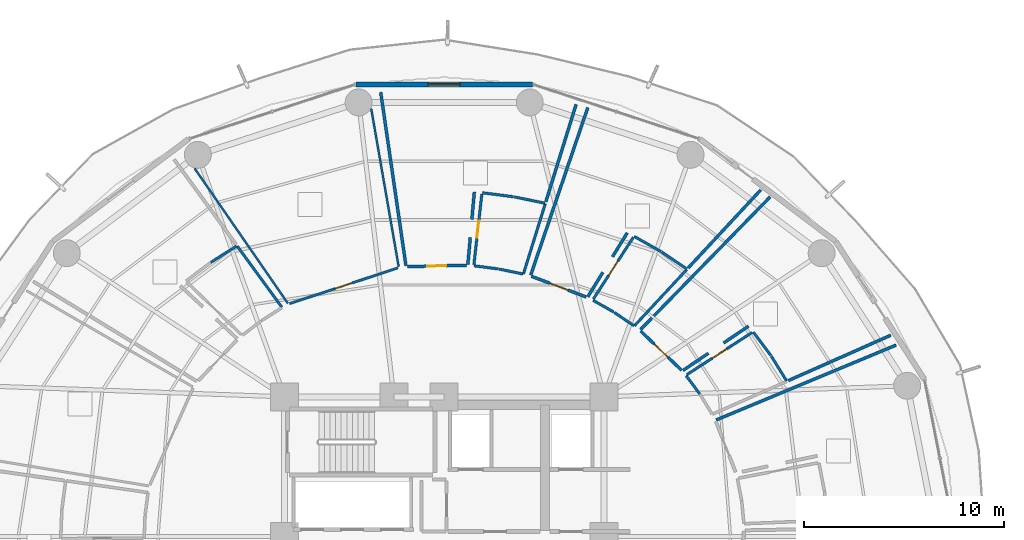
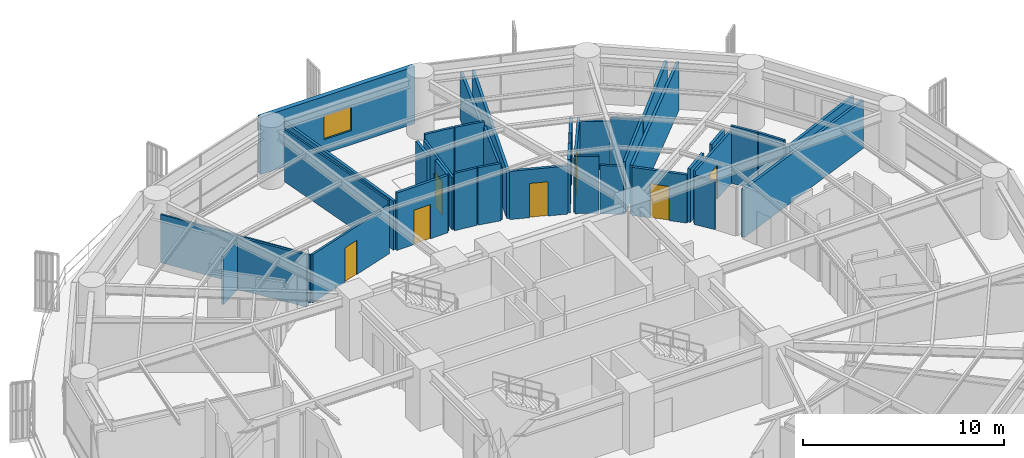
# One storey, part 30 of 35: 38 walls, 7 doors, 1 window, 8 openings.
"""IFC4 building model written with IfcOpenShell, lengths in metres."""

from ifc_helpers import new_model, si_unit, direction, frame, frame_2d, origin, place, context, subcontext, project, spatial, rectangle, extrude, material, layer, layer_set, type_object, element, fill, save


model = new_model("IFC4")

# Units and contexts
model_context = context("Model", 3, precision=1e-05, world=origin(), true_north=direction((0.0, 1.0)))
body_context = subcontext(model_context, "Body", "Model", "MODEL_VIEW")
ifc_project = project(units=[si_unit("LENGTHUNIT", "METRE"), si_unit("AREAUNIT", "SQUARE_METRE"), si_unit("VOLUMEUNIT", "CUBIC_METRE"), si_unit("PLANEANGLEUNIT", "RADIAN"), si_unit("MASSUNIT", "GRAM", prefix="KILO")], contexts=[model_context])

# Site, building, storey
site_placement = place(None, origin())
site = spatial("IfcSite", under=ifc_project, at=site_placement, CompositionType="ELEMENT")
building_placement = place(site_placement, origin())
building = spatial("IfcBuilding", under=site, at=building_placement, Name="Kelanora Arch Commons", CompositionType="ELEMENT")
storey_placement = place(building_placement, frame((0.0, 0.0, 95.10009765625)))
storey = spatial("IfcBuildingStorey", under=building, at=storey_placement, Name="L24", CompositionType="ELEMENT", Elevation=95.10009765625)

# Wall, opening, door
ifc_material_1 = material(Name="Autoclaved aerated concrete blockwork with fire plaster", Category="masonry")
ifc_layer_1 = layer(ifc_material_1, 0.14990234375)
ifc_layer_set_1 = layer_set([ifc_layer_1], Name="Autoclaved aerated concrete blockwork with fire plaster")
wall_type_1 = type_object("IfcWallType", Name="W-COMP-150", PredefinedType="PARTITIONING", material=ifc_layer_set_1)
wall_1_placement = place(storey_placement, frame((85.881591796875, 66.33740234375, 0.0), z_axis=(0.0, 0.0, 1.0), x_axis=(-0.721698326825, 0.692207718144, 0.0)))
wall_1 = element("IfcWall", 1, at=wall_1_placement, inside=storey, type_object=wall_type_1, Name="Co-Living Studio L24-01 Entry Partition", PredefinedType="PARTITIONING", context=body_context, shape_type="SweptSolid", body=[
    extrude(rectangle(XDim=2.822998046875, YDim=0.14990234375, at=frame_2d((1.41162109375, 0.0))), origin(), (0.0, 0.0, 1.0), 2.9248046875),
])
opening_1_placement = place(wall_1_placement, frame((0.93603515625, 0.0, 0.0)))
opening_1 = element("IfcOpeningElement", 2, at=opening_1_placement, cuts=wall_1, Name="Opening D-CLU1", PredefinedType="OPENING", context=body_context, shape_type="SweptSolid", body=[
    extrude(rectangle(XDim=0.949951171875, YDim=2.080078125, at=frame_2d((0.47509765625, 1.0400390625))), frame((0.0, 0.0849609375, 0.0), z_axis=(0.0, -1.0, 0.0), x_axis=(1.0, 0.0, 0.0)), (0.0, 0.0, 1.0), 0.169921875),
])
ifc_material_2 = material(Name="Solid-core acoustic timber cluster entry fire door", Category="wood")
door_type_1 = type_object("IfcDoorType", Name="D-CLU-95", OperationType="NOTDEFINED", PredefinedType="DOOR", material=ifc_material_2)
door_1_placement = place(opening_1_placement, origin())
door_1 = element("IfcDoor", 3, at=door_1_placement, inside=storey, type_object=door_type_1, Name="Co-Living Studio L24-01 Door", OperationType="SINGLE_SWING_RIGHT", OverallHeight=2.080078125, OverallWidth=0.949951171875, PredefinedType="DOOR", context=body_context, shape_type="SweptSolid", body=[
    extrude(rectangle(XDim=0.949951171875, YDim=2.080078125, at=frame_2d((0.47509765625, 1.0400390625))), frame((0.0, 0.02490234375, 0.0), z_axis=(0.0, -1.0, 0.0), x_axis=(1.0, 0.0, 0.0)), (0.0, 0.0, 1.0), 0.050048828125),
])
fill(opening_1, door_1)

wall_2_placement = place(storey_placement, frame((81.116943359375, 69.999267578125, 0.0), z_axis=(0.0, 0.0, 1.0), x_axis=(-0.935632349103, 0.352976071868, 0.0)))
wall_2 = element("IfcWall", 4, at=wall_2_placement, inside=storey, type_object=wall_type_1, Name="Co-Living Studio L24-02 Entry Partition", PredefinedType="PARTITIONING", context=body_context, shape_type="SweptSolid", body=[
    extrude(rectangle(XDim=2.9306640625, YDim=0.14990234375, at=frame_2d((1.46533203125, 0.0))), origin(), (0.0, 0.0, 1.0), 2.9248046875),
])
opening_2_placement = place(wall_2_placement, frame((0.989990234375, 0.0, 0.0)))
opening_2 = element("IfcOpeningElement", 5, at=opening_2_placement, cuts=wall_2, Name="Opening D-CLU1", PredefinedType="OPENING", context=body_context, shape_type="SweptSolid", body=[
    extrude(rectangle(XDim=0.949951171875, YDim=2.080078125, at=frame_2d((0.47509765625, 1.0400390625))), frame((0.0, 0.0849609375, 0.0), z_axis=(0.0, -1.0, 0.0), x_axis=(1.0, 0.0, 0.0)), (0.0, 0.0, 1.0), 0.169921875),
])
door_2_placement = place(opening_2_placement, origin())
door_2 = element("IfcDoor", 6, at=door_2_placement, inside=storey, type_object=door_type_1, Name="Co-Living Studio L24-02 Door", OperationType="SINGLE_SWING_RIGHT", OverallHeight=2.080078125, OverallWidth=0.949951171875, PredefinedType="DOOR", context=body_context, shape_type="SweptSolid", body=[
    extrude(rectangle(XDim=0.949951171875, YDim=2.080078125, at=frame_2d((0.47509765625, 1.0400390625))), frame((0.0, 0.02490234375, 0.0), z_axis=(0.0, -1.0, 0.0), x_axis=(1.0, 0.0, 0.0)), (0.0, 0.0, 1.0), 0.050048828125),
])
fill(opening_2, door_2)

wall_3_placement = place(storey_placement, frame((75.12109375, 71.586669921875, 0.0), z_axis=(0.0, 0.0, 1.0), x_axis=(-0.999757617916, -0.022016026426, 0.0)))
wall_3 = element("IfcWall", 7, at=wall_3_placement, inside=storey, type_object=wall_type_1, Name="Co-Living Studio L24-03 Entry Partition", PredefinedType="PARTITIONING", context=body_context, shape_type="SweptSolid", body=[
    extrude(rectangle(XDim=2.971923828125, YDim=0.14990234375, at=frame_2d((1.48583984375, 0.0))), origin(), (0.0, 0.0, 1.0), 3.47998046875),
])
opening_3_placement = place(wall_3_placement, frame((1.010986328125, 0.0, 0.0)))
opening_3 = element("IfcOpeningElement", 8, at=opening_3_placement, cuts=wall_3, Name="Opening D-CLU1", PredefinedType="OPENING", context=body_context, shape_type="SweptSolid", body=[
    extrude(rectangle(XDim=0.949951171875, YDim=2.080078125, at=frame_2d((0.47509765625, 1.0400390625))), frame((0.0, 0.0849609375, 0.0), z_axis=(0.0, -1.0, 0.0), x_axis=(1.0, 0.0, 0.0)), (0.0, 0.0, 1.0), 0.169921875),
])
door_3_placement = place(opening_3_placement, origin())
door_3 = element("IfcDoor", 9, at=door_3_placement, inside=storey, type_object=door_type_1, Name="Co-Living Studio L24-03 Door", OperationType="SINGLE_SWING_RIGHT", OverallHeight=2.080078125, OverallWidth=0.949951171875, PredefinedType="DOOR", context=body_context, shape_type="SweptSolid", body=[
    extrude(rectangle(XDim=0.949951171875, YDim=2.080078125, at=frame_2d((0.47509765625, 1.0400390625))), frame((0.0, 0.02490234375, 0.0), z_axis=(0.0, -1.0, 0.0), x_axis=(1.0, 0.0, 0.0)), (0.0, 0.0, 1.0), 0.050048828125),
])
fill(opening_3, door_3)

# Walls
wall_4_placement = place(storey_placement, frame((83.828857421875, 68.361572265625, 0.0), z_axis=(0.0, 0.0, 1.0), x_axis=(0.698749209364, 0.715366718833, 0.0)))
element("IfcWall", 10, at=wall_4_placement, inside=storey, type_object=wall_type_1, Name="Co-Living Studio L24-01 Enclosure Partition 2", PredefinedType="PARTITIONING", context=body_context, shape_type="SweptSolid", body=[
    extrude(rectangle(XDim=9.2998046875, YDim=0.14990234375, at=frame_2d((4.64990234375, 0.0))), origin(), (0.0, 0.0, 1.0), 2.974853515625),
])
wall_5_placement = place(storey_placement, frame((96.369384765625, 68.084716796875, 0.0), z_axis=(0.0, 0.0, 1.0), x_axis=(-0.914319955381, -0.404992616219, 0.0)))
element("IfcWall", 11, at=wall_5_placement, inside=storey, type_object=wall_type_1, Name="Co-Living Studio L24-01 Enclosure Partition 5", PredefinedType="PARTITIONING", context=body_context, shape_type="SweptSolid", body=[
    extrude(rectangle(XDim=5.615966796875, YDim=0.14990234375, at=frame_2d((2.80810546875, 0.0))), origin(), (0.0, 0.0, 1.0), 2.974853515625),
])
wall_6_placement = place(storey_placement, frame((89.240966796875, 68.53662109375, 0.0), z_axis=(0.0, 0.0, 1.0), x_axis=(-0.828582854192, -0.559866460631, 0.0)))
element("IfcWall", 12, at=wall_6_placement, inside=storey, type_object=wall_type_1, Name="Co-Living Studio L24-01 Enclosure Partition 7", PredefinedType="PARTITIONING", context=body_context, shape_type="SweptSolid", body=[
    extrude(rectangle(XDim=1.501708984375, YDim=0.14990234375, at=frame_2d((0.7509765625, 0.0))), origin(), (0.0, 0.0, 1.0), 3.1748046875),
])
wall_7_placement = place(storey_placement, frame((87.23388671875, 67.1806640625, 0.0), z_axis=(0.0, 0.0, 1.0), x_axis=(-0.828521381114, -0.559957427879, 0.0)))
element("IfcWall", 13, at=wall_7_placement, inside=storey, type_object=wall_type_1, Name="Co-Living Studio L24-01 Enclosure Partition 7", PredefinedType="PARTITIONING", context=body_context, shape_type="SweptSolid", body=[
    extrude(rectangle(XDim=1.5400390625, YDim=0.14990234375, at=frame_2d((0.77001953125, 0.0))), origin(), (0.0, 0.0, 1.0), 3.23486328125),
])
wall_8_placement = place(storey_placement, frame((78.331787109375, 71.093017578125, 0.0), z_axis=(0.0, 0.0, 1.0), x_axis=(0.322500856516, 0.946569172088, 0.0)))
element("IfcWall", 14, at=wall_8_placement, inside=storey, type_object=wall_type_1, Name="Co-Living Studio L24-02 Enclosure Partition 2", PredefinedType="PARTITIONING", context=body_context, shape_type="SweptSolid", body=[
    extrude(rectangle(XDim=8.875244140625, YDim=0.14990234375, at=frame_2d((4.4375, 0.0))), origin(), (0.0, 0.0, 1.0), 2.9248046875),
])
wall_9_placement = place(storey_placement, frame((89.85791015625, 75.36669921875, 0.0), z_axis=(0.0, 0.0, 1.0), x_axis=(-0.680841843483, -0.732430463704, 0.0)))
element("IfcWall", 15, at=wall_9_placement, inside=storey, type_object=wall_type_1, Name="Co-Living Studio L24-02 Enclosure Partition 5", PredefinedType="PARTITIONING", context=body_context, shape_type="SweptSolid", body=[
    extrude(rectangle(XDim=5.343017578125, YDim=0.14990234375, at=frame_2d((2.67138671875, 0.0))), origin(), (0.0, 0.0, 1.0), 2.974853515625),
])
wall_10_placement = place(storey_placement, frame((83.1669921875, 73.2099609375, 0.0), z_axis=(0.0, 0.0, 1.0), x_axis=(-0.525107327047, -0.8510360128, 0.0)))
element("IfcWall", 16, at=wall_10_placement, inside=storey, type_object=wall_type_1, Name="Co-Living Studio L24-02 Enclosure Partition 7", PredefinedType="PARTITIONING", context=body_context, shape_type="SweptSolid", body=[
    extrude(rectangle(XDim=1.40234375, YDim=0.14990234375, at=frame_2d((0.701171875, 0.0))), origin(), (0.0, 0.0, 1.0), 3.1748046875),
])
wall_11_placement = place(storey_placement, frame((81.947509765625, 71.2333984375, 0.0), z_axis=(0.0, 0.0, 1.0), x_axis=(-0.52498935376, -0.851108793539, 0.0)))
element("IfcWall", 17, at=wall_11_placement, inside=storey, type_object=wall_type_1, Name="Co-Living Studio L24-02 Enclosure Partition 7", PredefinedType="PARTITIONING", context=body_context, shape_type="SweptSolid", body=[
    extrude(rectangle(XDim=1.43505859375, YDim=0.14990234375, at=frame_2d((0.717529296875, 0.0))), origin(), (0.0, 0.0, 1.0), 3.23486328125),
])
wall_12_placement = place(storey_placement, frame((72.084228515625, 71.5595703125, 0.0), z_axis=(0.0, 0.0, 1.0), x_axis=(-0.143952208647, 0.989584640961, 0.0)))
element("IfcWall", 18, at=wall_12_placement, inside=storey, type_object=wall_type_1, Name="Co-Living Studio L24-03 Enclosure Partition 2", PredefinedType="PARTITIONING", context=body_context, shape_type="SweptSolid", body=[
    extrude(rectangle(XDim=8.790283203125, YDim=0.14990234375, at=frame_2d((4.39501953125, 0.0))), origin(), (0.0, 0.0, 1.0), 2.974853515625),
])
wall_13_placement = place(storey_placement, frame((80.606201171875, 79.644775390625, 0.0), z_axis=(0.0, 0.0, 1.0), x_axis=(-0.2966895532, -0.954973983427, 0.0)))
element("IfcWall", 19, at=wall_13_placement, inside=storey, type_object=wall_type_1, Name="Co-Living Studio L24-03 Enclosure Partition 5", PredefinedType="PARTITIONING", context=body_context, shape_type="SweptSolid", body=[
    extrude(rectangle(XDim=5.104248046875, YDim=0.14990234375, at=frame_2d((2.55224609375, 0.0))), origin(), (0.0, 0.0, 1.0), 2.9248046875),
])
wall_14_placement = place(storey_placement, frame((75.50830078125, 75.253173828125, 0.0), z_axis=(0.0, 0.0, 1.0), x_axis=(-0.088846600374, -0.996045321058, 0.0)))
element("IfcWall", 20, at=wall_14_placement, inside=storey, type_object=wall_type_1, Name="Co-Living Studio L24-03 Enclosure Partition 7", PredefinedType="PARTITIONING", context=body_context, shape_type="SweptSolid", body=[
    extrude(rectangle(XDim=1.368408203125, YDim=0.14990234375, at=frame_2d((0.68408203125, 0.0))), origin(), (0.0, 0.0, 1.0), 3.1748046875),
])
wall_15_placement = place(storey_placement, frame((75.3046875, 72.973388671875, 0.0), z_axis=(0.0, 0.0, 1.0), x_axis=(-0.088906327267, -0.996039991653, 0.0)))
element("IfcWall", 21, at=wall_15_placement, inside=storey, type_object=wall_type_1, Name="Co-Living Studio L24-03 Enclosure Partition 7", PredefinedType="PARTITIONING", context=body_context, shape_type="SweptSolid", body=[
    extrude(rectangle(XDim=1.35107421875, YDim=0.14990234375, at=frame_2d((0.675537109375, 0.0))), origin(), (0.0, 0.0, 1.0), 3.47998046875),
])
wall_16_placement = place(storey_placement, frame((87.625, 63.84033203125, 0.0), z_axis=(0.0, 0.0, 1.0), x_axis=(0.92321744991, 0.384277946521, 0.0)))
element("IfcWall", 22, at=wall_16_placement, inside=storey, type_object=wall_type_1, Name="Co-Living Studio L24-15 Enclosure Partition 2", PredefinedType="PARTITIONING", context=body_context, shape_type="SweptSolid", body=[
    extrude(rectangle(XDim=9.76171875, YDim=0.14990234375, at=frame_2d((4.880859375, 0.0))), origin(), (0.0, 0.0, 1.0), 2.9248046875),
])

# Wall, opening, window
ifc_material_3 = material(Name="Precast concrete C40/50 with terracotta rainscreen", Category="masonry")
ifc_layer_2 = layer(ifc_material_3, 0.260009765625)
ifc_layer_set_2 = layer_set([ifc_layer_2], Name="Precast concrete C40/50 with terracotta rainscreen")
wall_type_2 = type_object("IfcWallType", Name="W-EXT-TC", PredefinedType="SOLIDWALL", material=ifc_layer_set_2)
wall_17_placement = place(storey_placement, frame((78.430419921875, 80.650634765625, 0.0), z_axis=(0.0, 0.0, 1.0), x_axis=(-1.0, 0.0, 0.0)))
wall_17 = element("IfcWall", 23, at=wall_17_placement, inside=storey, type_object=wall_type_2, Name="Terracotta Exterior Wall L24-B04", PredefinedType="SOLIDWALL", context=body_context, shape_type="SweptSolid", body=[
    extrude(rectangle(XDim=8.86083984375, YDim=0.260009765625, at=frame_2d((4.430419921875, 0.0))), origin(), (0.0, 0.0, 1.0), 3.474853515625),
])
opening_4_placement = place(wall_17_placement, frame((3.6298828125, 0.0, 0.85009765625)))
opening_4 = element("IfcOpeningElement", 24, at=opening_4_placement, cuts=wall_17, Name="Opening WN-01", PredefinedType="OPENING", context=body_context, shape_type="SweptSolid", body=[
    extrude(rectangle(XDim=1.60009765625, YDim=1.449951171875, at=frame_2d((0.800048828125, 0.72509765625))), frame((0.0, 0.14013671875, 0.0), z_axis=(0.0, -1.0, 0.0), x_axis=(1.0, 0.0, 0.0)), (0.0, 0.0, 1.0), 0.280029296875),
])
ifc_material_4 = material(Name="Terracotta-anodised aluminium frame with operable low-E glazing", Category="masonry")
window_type = type_object("IfcWindowType", Name="WIN-CL-18", PartitioningType="DOUBLE_PANEL_VERTICAL", PredefinedType="WINDOW", material=ifc_material_4)
window_placement = place(opening_4_placement, origin())
window = element("IfcWindow", 25, at=window_placement, inside=storey, type_object=window_type, Name="Co-Living Operable Window L24-B04", OverallHeight=1.449951171875, OverallWidth=1.60009765625, PartitioningType="SINGLE_PANEL", PredefinedType="WINDOW", context=body_context, shape_type="SweptSolid", body=[
    extrude(rectangle(XDim=1.60009765625, YDim=1.449951171875, at=frame_2d((0.800048828125, 0.72509765625))), frame((0.0, 0.030029296875, 0.0), z_axis=(0.0, -1.0, 0.0), x_axis=(1.0, 0.0, 0.0)), (0.0, 0.0, 1.0), 0.06005859375),
])
fill(opening_4, window)

# Walls
ifc_material_5 = material(Name="Lightweight fire-rated acoustic stud partition")
ifc_layer_3 = layer(ifc_material_5, 0.10009765625)
ifc_layer_set_3 = layer_set([ifc_layer_3], Name="Lightweight fire-rated acoustic stud partition")
wall_type_3 = type_object("IfcWallType", Name="W-PART-100", PredefinedType="PARTITIONING", material=ifc_layer_set_3)
wall_18_placement = place(storey_placement, frame((66.169189453125, 69.678955078125, 0.0), z_axis=(0.0, 0.0, 1.0), x_axis=(-0.568250117639, 0.822855882766, 0.0)))
element("IfcWall", 26, at=wall_18_placement, inside=storey, type_object=wall_type_3, Name="Communal Dining and Social Hall L24-04 Enclosure Partition 2", PredefinedType="PARTITIONING", context=body_context, shape_type="SweptSolid", body=[
    extrude(rectangle(XDim=8.216796875, YDim=0.10009765625, at=frame_2d((4.1083984375, 0.0))), origin(), (0.0, 0.0, 1.0), 2.9248046875),
])
wall_19_placement = place(storey_placement, frame((70.342529296875, 79.435791015625, 0.0), z_axis=(0.0, 0.0, 1.0), x_axis=(0.171306583965, -0.985217769983, 0.0)))
element("IfcWall", 27, at=wall_19_placement, inside=storey, type_object=wall_type_3, Name="Communal Dining and Social Hall L24-04 Enclosure Partition 4", PredefinedType="PARTITIONING", context=body_context, shape_type="SweptSolid", body=[
    extrude(rectangle(XDim=8.042236328125, YDim=0.10009765625, at=frame_2d((4.02099609375, 0.0))), origin(), (0.0, 0.0, 1.0), 3.1748046875),
])

# Wall, opening, door
ifc_material_6 = material(Name="Acoustic twin-stud fire-rated gypsum partition")
ifc_layer_4 = layer(ifc_material_6, 0.1201171875)
ifc_layer_set_4 = layer_set([ifc_layer_4], Name="Acoustic twin-stud fire-rated gypsum partition")
wall_type_4 = type_object("IfcWallType", Name="W-PART-120", PredefinedType="PARTITIONING", material=ifc_layer_set_4)
wall_20_placement = place(storey_placement, frame((71.669921875, 71.4541015625, 0.0), z_axis=(0.0, 0.0, 1.0), x_axis=(-0.949607265123, -0.313442246716, 0.0)))
wall_20 = element("IfcWall", 28, at=wall_20_placement, inside=storey, type_object=wall_type_4, Name="Communal Dining and Social Hall L24-04 Entry Partition", PredefinedType="PARTITIONING", context=body_context, shape_type="SweptSolid", body=[
    extrude(rectangle(XDim=5.70849609375, YDim=0.1201171875, at=frame_2d((2.854248046875, 0.0))), origin(), (0.0, 0.0, 1.0), 2.9248046875),
])
opening_5_placement = place(wall_20_placement, frame((2.404052734375, 0.0, 0.0)))
opening_5 = element("IfcOpeningElement", 29, at=opening_5_placement, cuts=wall_20, Name="Opening D-RM1", PredefinedType="OPENING", context=body_context, shape_type="SweptSolid", body=[
    extrude(rectangle(XDim=0.89990234375, YDim=2.080078125, at=frame_2d((0.449951171875, 1.0400390625))), frame((0.0, 0.070068359375, 0.0), z_axis=(0.0, -1.0, 0.0), x_axis=(1.0, 0.0, 0.0)), (0.0, 0.0, 1.0), 0.14013671875),
])
ifc_material_7 = material(Name="Acoustic fire-rated timber study and lounge door", Category="wood")
door_type_2 = type_object("IfcDoorType", Name="D-ROOM-90", OperationType="NOTDEFINED", PredefinedType="DOOR", material=ifc_material_7)
door_4_placement = place(opening_5_placement, origin())
door_4 = element("IfcDoor", 30, at=door_4_placement, inside=storey, type_object=door_type_2, Name="Communal Dining and Social Hall L24-04 Door", OperationType="SINGLE_SWING_LEFT", OverallHeight=2.080078125, OverallWidth=0.89990234375, PredefinedType="DOOR", context=body_context, shape_type="SweptSolid", body=[
    extrude(rectangle(XDim=0.89990234375, YDim=2.080078125, at=frame_2d((0.449951171875, 1.0400390625))), frame((0.0, 0.02490234375, 0.0), z_axis=(0.0, -1.0, 0.0), x_axis=(1.0, 0.0, 0.0)), (0.0, 0.0, 1.0), 0.050048828125),
])
fill(opening_5, door_4)

ifc_material_8 = material(Name="Moisture-resistant fire-rated cement-board plumbing wall")
ifc_layer_5 = layer(ifc_material_8, 0.1298828125)
ifc_layer_set_5 = layer_set([ifc_layer_5], Name="Moisture-resistant fire-rated cement-board plumbing wall")
wall_type_5 = type_object("IfcWallType", Name="W-WET-120", PredefinedType="PLUMBINGWALL", material=ifc_layer_set_5)
wall_21_placement = place(storey_placement, frame((86.156494140625, 66.110595703125, 0.0), z_axis=(0.0, 0.0, 1.0), x_axis=(0.839597088747, 0.543209654339, 0.0)))
wall_21 = element("IfcWall", 31, at=wall_21_placement, inside=storey, type_object=wall_type_5, Name="En-Suite Shower WC L24-01 Entry Partition", PredefinedType="PLUMBINGWALL", context=body_context, shape_type="SweptSolid", body=[
    extrude(rectangle(XDim=3.891357421875, YDim=0.1298828125, at=frame_2d((1.94580078125, 0.0))), origin(), (0.0, 0.0, 1.0), 3.1748046875),
])
opening_6_placement = place(wall_21_placement, frame((1.51611328125, 0.0, 0.0)))
opening_6 = element("IfcOpeningElement", 32, at=opening_6_placement, cuts=wall_21, Name="Opening D-BT1", PredefinedType="OPENING", context=body_context, shape_type="SweptSolid", body=[
    extrude(rectangle(XDim=0.860107421875, YDim=2.050048828125, at=frame_2d((0.43017578125, 1.02490234375))), frame((0.0, 0.074951171875, 0.0), z_axis=(0.0, -1.0, 0.0), x_axis=(1.0, 0.0, 0.0)), (0.0, 0.0, 1.0), 0.14990234375),
])
ifc_material_9 = material(Name="Moisture-sealed fire-rated accessible bathroom door")
door_type_3 = type_object("IfcDoorType", Name="D-BATH-85", OperationType="NOTDEFINED", PredefinedType="DOOR", material=ifc_material_9)
door_5_placement = place(opening_6_placement, origin())
door_5 = element("IfcDoor", 33, at=door_5_placement, inside=storey, type_object=door_type_3, Name="En-Suite Shower WC L24-01 Door", OperationType="SINGLE_SWING_LEFT", OverallHeight=2.050048828125, OverallWidth=0.860107421875, PredefinedType="DOOR", context=body_context, shape_type="SweptSolid", body=[
    extrude(rectangle(XDim=0.860107421875, YDim=2.050048828125, at=frame_2d((0.43017578125, 1.02490234375))), frame((0.0, 0.02490234375, 0.0), z_axis=(0.0, -1.0, 0.0), x_axis=(1.0, 0.0, 0.0)), (0.0, 0.0, 1.0), 0.050048828125),
])
fill(opening_6, door_5)

wall_22_placement = place(storey_placement, frame((81.469482421875, 69.8955078125, 0.0), z_axis=(0.0, 0.0, 1.0), x_axis=(0.543429789712, 0.839454622748, 0.0)))
wall_22 = element("IfcWall", 34, at=wall_22_placement, inside=storey, type_object=wall_type_5, Name="En-Suite Shower WC L24-02 Entry Partition", PredefinedType="PLUMBINGWALL", context=body_context, shape_type="SweptSolid", body=[
    extrude(rectangle(XDim=3.685791015625, YDim=0.1298828125, at=frame_2d((1.8427734375, 0.0))), origin(), (0.0, 0.0, 1.0), 3.1748046875),
])
opening_7_placement = place(wall_22_placement, frame((1.4130859375, 0.0, 0.0)))
opening_7 = element("IfcOpeningElement", 35, at=opening_7_placement, cuts=wall_22, Name="Opening D-BT1", PredefinedType="OPENING", context=body_context, shape_type="SweptSolid", body=[
    extrude(rectangle(XDim=0.860107421875, YDim=2.050048828125, at=frame_2d((0.43017578125, 1.02490234375))), frame((0.0, 0.074951171875, 0.0), z_axis=(0.0, -1.0, 0.0), x_axis=(1.0, 0.0, 0.0)), (0.0, 0.0, 1.0), 0.14990234375),
])
door_6_placement = place(opening_7_placement, origin())
door_6 = element("IfcDoor", 36, at=door_6_placement, inside=storey, type_object=door_type_3, Name="En-Suite Shower WC L24-02 Door", OperationType="SINGLE_SWING_LEFT", OverallHeight=2.050048828125, OverallWidth=0.860107421875, PredefinedType="DOOR", context=body_context, shape_type="SweptSolid", body=[
    extrude(rectangle(XDim=0.860107421875, YDim=2.050048828125, at=frame_2d((0.43017578125, 1.02490234375))), frame((0.0, 0.02490234375, 0.0), z_axis=(0.0, -1.0, 0.0), x_axis=(1.0, 0.0, 0.0)), (0.0, 0.0, 1.0), 0.050048828125),
])
fill(opening_7, door_6)

wall_23_placement = place(storey_placement, frame((75.48779296875, 71.62353515625, 0.0), z_axis=(0.0, 0.0, 1.0), x_axis=(0.111853147635, 0.993724747284, 0.0)))
wall_23 = element("IfcWall", 37, at=wall_23_placement, inside=storey, type_object=wall_type_5, Name="En-Suite Shower WC L24-03 Entry Partition", PredefinedType="PLUMBINGWALL", context=body_context, shape_type="SweptSolid", body=[
    extrude(rectangle(XDim=3.562255859375, YDim=0.1298828125, at=frame_2d((1.78125, 0.0))), origin(), (0.0, 0.0, 1.0), 3.1748046875),
])
opening_8_placement = place(wall_23_placement, frame((1.35107421875, 0.0, 0.0)))
opening_8 = element("IfcOpeningElement", 38, at=opening_8_placement, cuts=wall_23, Name="Opening D-BT1", PredefinedType="OPENING", context=body_context, shape_type="SweptSolid", body=[
    extrude(rectangle(XDim=0.860107421875, YDim=2.050048828125, at=frame_2d((0.43017578125, 1.02490234375))), frame((0.0, 0.074951171875, 0.0), z_axis=(0.0, -1.0, 0.0), x_axis=(1.0, 0.0, 0.0)), (0.0, 0.0, 1.0), 0.14990234375),
])
door_7_placement = place(opening_8_placement, origin())
door_7 = element("IfcDoor", 39, at=door_7_placement, inside=storey, type_object=door_type_3, Name="En-Suite Shower WC L24-03 Door", OperationType="SINGLE_SWING_LEFT", OverallHeight=2.050048828125, OverallWidth=0.860107421875, PredefinedType="DOOR", context=body_context, shape_type="SweptSolid", body=[
    extrude(rectangle(XDim=0.860107421875, YDim=2.050048828125, at=frame_2d((0.43017578125, 1.02490234375))), frame((0.0, 0.02490234375, 0.0), z_axis=(0.0, -1.0, 0.0), x_axis=(1.0, 0.0, 0.0)), (0.0, 0.0, 1.0), 0.050048828125),
])
fill(opening_8, door_7)

# Walls
wall_24_placement = place(storey_placement, frame((86.800048828125, 65.14208984375, 0.0), z_axis=(0.0, 0.0, 1.0), x_axis=(-0.595625136946, 0.803262532574, 0.0)))
element("IfcWall", 40, at=wall_24_placement, inside=storey, type_object=wall_type_5, Name="En-Suite Shower WC L24-01 Enclosure Partition 2", PredefinedType="PLUMBINGWALL", context=body_context, shape_type="SweptSolid", body=[
    extrude(rectangle(XDim=1.145263671875, YDim=0.1298828125, at=frame_2d((0.57275390625, 0.0))), origin(), (0.0, 0.0, 1.0), 2.9248046875),
])
wall_25_placement = place(storey_placement, frame((89.486083984375, 68.240966796875, 0.0), z_axis=(0.0, 0.0, 1.0), x_axis=(0.598215175904, -0.801335512328, 0.0)))
element("IfcWall", 41, at=wall_25_placement, inside=storey, type_object=wall_type_5, Name="En-Suite Shower WC L24-01 Enclosure Partition 4", PredefinedType="PLUMBINGWALL", context=body_context, shape_type="SweptSolid", body=[
    extrude(rectangle(XDim=1.467529296875, YDim=0.1298828125, at=frame_2d((0.73388671875, 0.0))), origin(), (0.0, 0.0, 1.0), 3.47998046875),
])
wall_26_placement = place(storey_placement, frame((90.386474609375, 67.031982421875, 0.0), z_axis=(0.0, 0.0, 1.0), x_axis=(0.525910281035, -0.850540049793, 0.0)))
element("IfcWall", 42, at=wall_26_placement, inside=storey, type_object=wall_type_5, Name="En-Suite Shower WC L24-01 Enclosure Partition 5", PredefinedType="PLUMBINGWALL", context=body_context, shape_type="SweptSolid", body=[
    extrude(rectangle(XDim=1.456787109375, YDim=0.1298828125, at=frame_2d((0.728515625, 0.0))), origin(), (0.0, 0.0, 1.0), 3.47998046875),
])
wall_27_placement = place(storey_placement, frame((83.50341796875, 68.558349609375, 0.0), z_axis=(0.0, 0.0, 1.0), x_axis=(-0.826715543633, 0.56262012932, 0.0)))
element("IfcWall", 43, at=wall_27_placement, inside=storey, type_object=wall_type_5, Name="En-Suite Shower WC L24-02 Enclosure Partition 1", PredefinedType="PLUMBINGWALL", context=body_context, shape_type="SweptSolid", body=[
    extrude(rectangle(XDim=1.184326171875, YDim=0.1298828125, at=frame_2d((0.59228515625, 0.0))), origin(), (0.0, 0.0, 1.0), 2.9248046875),
])
wall_28_placement = place(storey_placement, frame((82.490478515625, 69.245849609375, 0.0), z_axis=(0.0, 0.0, 1.0), x_axis=(-0.869224537935, 0.494417538778, 0.0)))
element("IfcWall", 44, at=wall_28_placement, inside=storey, type_object=wall_type_5, Name="En-Suite Shower WC L24-02 Enclosure Partition 2", PredefinedType="PLUMBINGWALL", context=body_context, shape_type="SweptSolid", body=[
    extrude(rectangle(XDim=1.192138671875, YDim=0.1298828125, at=frame_2d((0.59619140625, 0.0))), origin(), (0.0, 0.0, 1.0), 3.47998046875),
])
wall_29_placement = place(storey_placement, frame((83.5224609375, 73.0302734375, 0.0), z_axis=(0.0, 0.0, 1.0), x_axis=(0.870915556508, -0.491432694713, 0.0)))
element("IfcWall", 45, at=wall_29_placement, inside=storey, type_object=wall_type_5, Name="En-Suite Shower WC L24-02 Enclosure Partition 4", PredefinedType="PLUMBINGWALL", context=body_context, shape_type="SweptSolid", body=[
    extrude(rectangle(XDim=1.533203125, YDim=0.1298828125, at=frame_2d((0.7666015625, 0.0))), origin(), (0.0, 0.0, 1.0), 2.9248046875),
])
wall_30_placement = place(storey_placement, frame((84.8916015625, 72.255859375, 0.0), z_axis=(0.0, 0.0, 1.0), x_axis=(0.828476223524, -0.560024237917, 0.0)))
element("IfcWall", 46, at=wall_30_placement, inside=storey, type_object=wall_type_5, Name="En-Suite Shower WC L24-02 Enclosure Partition 5", PredefinedType="PLUMBINGWALL", context=body_context, shape_type="SweptSolid", body=[
    extrude(rectangle(XDim=1.5205078125, YDim=0.1298828125, at=frame_2d((0.76025390625, 0.0))), origin(), (0.0, 0.0, 1.0), 3.1748046875),
])
wall_31_placement = place(storey_placement, frame((86.154296875, 71.37841796875, 0.0), z_axis=(0.0, 0.0, 1.0), x_axis=(-0.681137169266, -0.732155828116, 0.0)))
element("IfcWall", 47, at=wall_31_placement, inside=storey, type_object=wall_type_5, Name="En-Suite Shower WC L24-02 Enclosure Partition 6", PredefinedType="PLUMBINGWALL", context=body_context, shape_type="SweptSolid", body=[
    extrude(rectangle(XDim=3.847412109375, YDim=0.1298828125, at=frame_2d((1.923828125, 0.0))), origin(), (0.0, 0.0, 1.0), 3.1748046875),
])
wall_32_placement = place(storey_placement, frame((77.9462890625, 71.151123046875, 0.0), z_axis=(0.0, 0.0, 1.0), x_axis=(-0.979121805859, 0.203274418684, 0.0)))
element("IfcWall", 48, at=wall_32_placement, inside=storey, type_object=wall_type_5, Name="En-Suite Shower WC L24-03 Enclosure Partition 1", PredefinedType="PLUMBINGWALL", context=body_context, shape_type="SweptSolid", body=[
    extrude(rectangle(XDim=1.218994140625, YDim=0.1298828125, at=frame_2d((0.609375, 0.0))), origin(), (0.0, 0.0, 1.0), 3.47998046875),
])
wall_33_placement = place(storey_placement, frame((76.713134765625, 71.405517578125, 0.0), z_axis=(0.0, 0.0, 1.0), x_axis=(-0.991848040681, 0.127426308891, 0.0)))
element("IfcWall", 49, at=wall_33_placement, inside=storey, type_object=wall_type_5, Name="En-Suite Shower WC L24-03 Enclosure Partition 2", PredefinedType="PLUMBINGWALL", context=body_context, shape_type="SweptSolid", body=[
    extrude(rectangle(XDim=1.222412109375, YDim=0.1298828125, at=frame_2d((0.611328125, 0.0))), origin(), (0.0, 0.0, 1.0), 3.47998046875),
])
wall_34_placement = place(storey_placement, frame((75.912841796875, 75.220458984375, 0.0), z_axis=(0.0, 0.0, 1.0), x_axis=(0.991898711333, -0.127031281405, 0.0)))
element("IfcWall", 50, at=wall_34_placement, inside=storey, type_object=wall_type_5, Name="En-Suite Shower WC L24-03 Enclosure Partition 4", PredefinedType="PLUMBINGWALL", context=body_context, shape_type="SweptSolid", body=[
    extrude(rectangle(XDim=1.573974609375, YDim=0.1298828125, at=frame_2d((0.787109375, 0.0))), origin(), (0.0, 0.0, 1.0), 3.47998046875),
])
wall_35_placement = place(storey_placement, frame((77.513671875, 75.013916015625, 0.0), z_axis=(0.0, 0.0, 1.0), x_axis=(0.979487788462, -0.201503529137, 0.0)))
element("IfcWall", 51, at=wall_35_placement, inside=storey, type_object=wall_type_5, Name="En-Suite Shower WC L24-03 Enclosure Partition 5", PredefinedType="PLUMBINGWALL", context=body_context, shape_type="SweptSolid", body=[
    extrude(rectangle(XDim=1.56787109375, YDim=0.1298828125, at=frame_2d((0.783935546875, 0.0))), origin(), (0.0, 0.0, 1.0), 3.47998046875),
])
wall_36_placement = place(storey_placement, frame((79.06298828125, 74.6748046875, 0.0), z_axis=(0.0, 0.0, 1.0), x_axis=(-0.296927892497, -0.954899903999, 0.0)))
element("IfcWall", 52, at=wall_36_placement, inside=storey, type_object=wall_type_5, Name="En-Suite Shower WC L24-03 Enclosure Partition 6", PredefinedType="PLUMBINGWALL", context=body_context, shape_type="SweptSolid", body=[
    extrude(rectangle(XDim=3.674560546875, YDim=0.1298828125, at=frame_2d((1.83740234375, 0.0))), origin(), (0.0, 0.0, 1.0), 3.1748046875),
])
wall_37_placement = place(storey_placement, frame((62.31591796875, 71.73779296875, 0.0), z_axis=(0.0, 0.0, 1.0), x_axis=(0.844925229622, 0.534884432703, 0.0)))
element("IfcWall", 53, at=wall_37_placement, inside=storey, type_object=wall_type_5, Name="En-Suite Shower WC L24-05 Enclosure Partition 5", PredefinedType="PLUMBINGWALL", context=body_context, shape_type="SweptSolid", body=[
    extrude(rectangle(XDim=1.5244140625, YDim=0.1298828125, at=frame_2d((0.76220703125, 0.0))), origin(), (0.0, 0.0, 1.0), 2.9248046875),
])
wall_38_placement = place(storey_placement, frame((63.6328125, 72.5478515625, 0.0), z_axis=(0.0, 0.0, 1.0), x_axis=(0.589656455867, -0.807654173551, 0.0)))
element("IfcWall", 54, at=wall_38_placement, inside=storey, type_object=wall_type_5, Name="En-Suite Shower WC L24-05 Enclosure Partition 6", PredefinedType="PLUMBINGWALL", context=body_context, shape_type="SweptSolid", body=[
    extrude(rectangle(XDim=3.791015625, YDim=0.1298828125, at=frame_2d((1.8955078125, 0.0))), origin(), (0.0, 0.0, 1.0), 3.1748046875),
])

save(model, "model.ifc")
